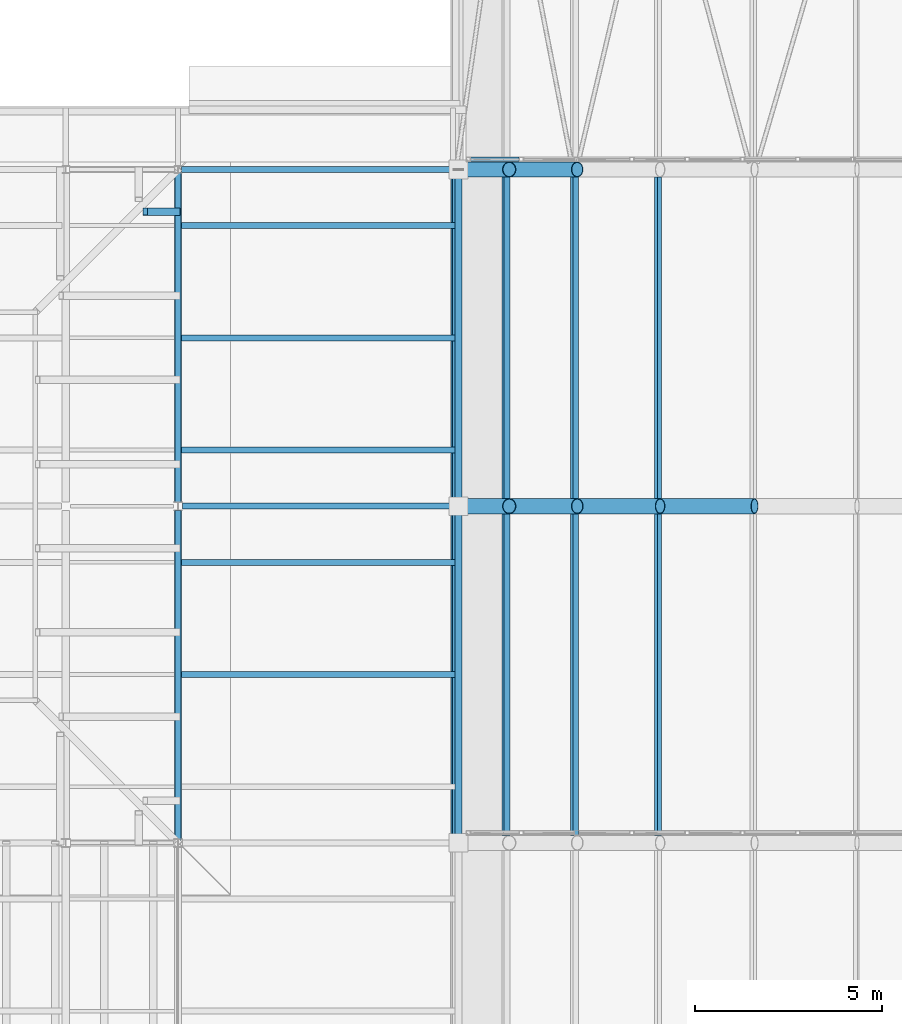
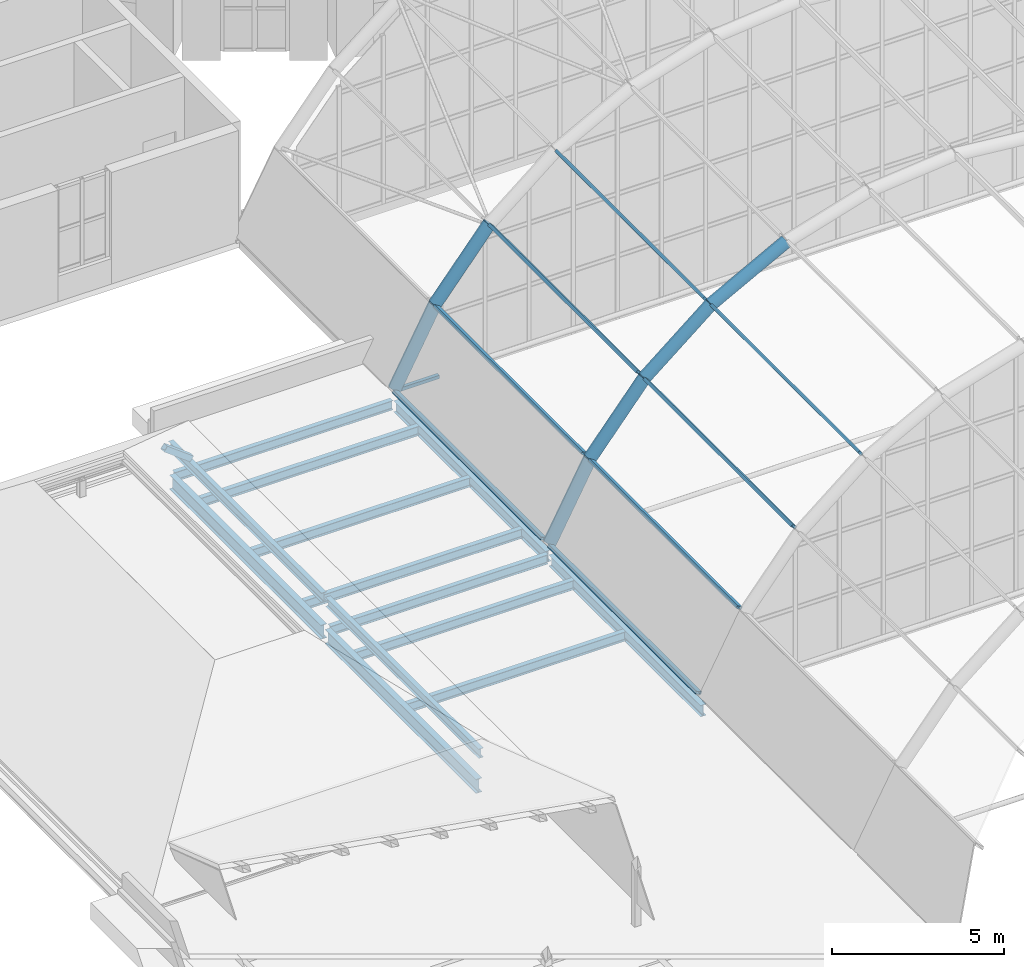
# One storey, part 38 of 121: 16 members, 13 beams, 1 element without a shape of its own.
"""IFC4 building model written with IfcOpenShell, lengths in metres."""

from ifc_helpers import new_model, si_unit, direction, frame, origin, origin_2d, place, context, subcontext, project, spatial, hollow_rectangle, hollow_circle, i_section, extrude, material, material_profile, profile_set, type_object, element, aggregate, save


model = new_model("IFC4")

# Units and contexts
model_context = context("Model", 3, precision=1e-05, world=origin(), true_north=direction((0.0, 1.0)))
body_context = subcontext(model_context, "Body", "Model", "MODEL_VIEW")
ifc_project = project(units=[si_unit("LENGTHUNIT", "METRE"), si_unit("AREAUNIT", "SQUARE_METRE"), si_unit("VOLUMEUNIT", "CUBIC_METRE"), si_unit("PLANEANGLEUNIT", "RADIAN"), si_unit("MASSUNIT", "GRAM", prefix="KILO")], contexts=[model_context])

# Site, building, storey
site_placement = place(None, origin())
site = spatial("IfcSite", under=ifc_project, at=site_placement, CompositionType="ELEMENT")
building_placement = place(site_placement, origin())
building = spatial("IfcBuilding", under=site, at=building_placement, Name="Golden Quay Civic Hall", CompositionType="ELEMENT")
storey_placement = place(building_placement, frame((0.0, 0.0, 18.60009765625)))
storey = spatial("IfcBuildingStorey", under=building, at=storey_placement, Name="L04", CompositionType="ELEMENT", Elevation=18.60009765625)

# Curtain wall, member
ifc_material_1 = material(Name="Fire-resisting glass and steel", Category="steel")
curtain_wall_type = type_object("IfcCurtainWallType", Name="Fire-resisting glazed curtain wall EI 120", PredefinedType="NOTDEFINED", material=ifc_material_1)
curtain_wall_placement = place(storey_placement, origin())
curtain_wall = element("IfcCurtainWall", 1, at=curtain_wall_placement, inside=storey, type_object=curtain_wall_type, Name="Curtain wall tympanum fire3", PredefinedType="NOTDEFINED")
ifc_material_2 = material(Name="Steel S355", Category="steel")
ifc_material_profile_1 = material_profile(ifc_material_2, hollow_rectangle(XDim=0.1201171875, YDim=0.1201171875, WallThickness=0.008056640625, at=origin_2d()), Name="SHS 120x120x8")
ifc_profile_set_1 = profile_set([ifc_material_profile_1], Name="Steel S355")
member_type_1 = type_object("IfcMemberType", Name="Fire-resisting steel transom SHS 120x120x8", PredefinedType="USERDEFINED", material=ifc_profile_set_1)
member_1_placement = place(storey_placement, frame((72.320068359375, 54.27001953125, -0.190185546875), z_axis=(1.0, 0.0, 0.0), x_axis=(0.0, 1.0, 0.0)))
member_1 = element("IfcMember", 2, at=member_1_placement, type_object=member_type_1, Name="Tympanum transom 1.1", ObjectType="TRANSOM", PredefinedType="USERDEFINED", context=body_context, shape_type="SweptSolid", body=[
    extrude(hollow_rectangle(XDim=0.1201171875, YDim=0.1201171875, WallThickness=0.008056640625, at=origin_2d()), origin(), (0.0, 0.0, 1.0), 1.297607421875),
])
aggregate(curtain_wall, [member_1])

# Members
ifc_material_3 = material(Name="Steel S355", Category="steel")
ifc_material_profile_2 = material_profile(ifc_material_3, hollow_circle(Radius=0.203125, WallThickness=0.01611328125, at=origin_2d()), Name="CHS 406.4x16")
ifc_profile_set_2 = profile_set([ifc_material_profile_2], Name="Steel S355")
member_type_2 = type_object("IfcMemberType", Name="Steel arch rib CHS 406.4x16", PredefinedType="USERDEFINED", material=ifc_profile_set_2)
for number, where, z_axis, x_axis, name in (
    (3, (72.0, 45.0, 0.099853515625), (0.473092307375, 0.0, 0.881012865231), (0.0, 1.0, 0.0), "Arch rib 6 segment 1"),
    (4, (73.35400390625, 45.0, 2.621337890625), (0.635608575128, 0.0, 0.772011489049), (0.0, 1.0, 0.0), "Arch rib 6 segment 2"),
):
    element("IfcMember", number, at=place(storey_placement, frame(where, z_axis=z_axis, x_axis=x_axis)), inside=storey, type_object=member_type_2, Name=name, ObjectType="ARCH RIB", PredefinedType="USERDEFINED", context=body_context, shape_type="SweptSolid", body=[
        extrude(hollow_circle(Radius=0.203125, WallThickness=0.01611328125, at=origin_2d()), origin(), (0.0, 0.0, 1.0), 2.862060546875),
    ])
for number, where, z_axis, x_axis, name in (
    (5, (75.173095703125, 45.0, 4.830810546875), (0.773786223221, 0.0, 0.633446825514), (0.0, 1.0, 0.0), "Arch rib 6 segment 3"),
    (6, (77.387451171875, 45.0, 6.6435546875), (0.882326964097, 0.0, 0.470636939082), (0.0, 1.0, 0.0), "Arch rib 6 segment 4"),
):
    element("IfcMember", number, at=place(storey_placement, frame(where, z_axis=z_axis, x_axis=x_axis)), inside=storey, type_object=member_type_2, Name=name, ObjectType="ARCH RIB", PredefinedType="USERDEFINED", context=body_context, shape_type="SweptSolid", body=[
        extrude(hollow_circle(Radius=0.203125, WallThickness=0.01611328125, at=origin_2d()), origin(), (0.0, 0.0, 1.0), 2.86181640625),
    ])
for number, where, z_axis, x_axis, name in (
    (7, (72.0, 54.0, 0.099853515625), (0.473092307375, 0.0, 0.881012865231), (0.0, 1.0, 0.0), "Arch rib 7 segment 1"),
    (8, (73.35400390625, 54.0, 2.621337890625), (0.635608575128, 0.0, 0.772011489049), (0.0, 1.0, 0.0), "Arch rib 7 segment 2"),
):
    element("IfcMember", number, at=place(storey_placement, frame(where, z_axis=z_axis, x_axis=x_axis)), inside=storey, type_object=member_type_2, Name=name, ObjectType="ARCH RIB", PredefinedType="USERDEFINED", context=body_context, shape_type="SweptSolid", body=[
        extrude(hollow_circle(Radius=0.203125, WallThickness=0.01611328125, at=origin_2d()), origin(), (0.0, 0.0, 1.0), 2.862060546875),
    ])

# Beams
ifc_material_4 = material(Name="Steel S355", Category="steel")
ifc_material_profile_3 = material_profile(ifc_material_4, i_section(OverallWidth=0.159912109375, OverallDepth=0.330078125, WebThickness=0.007568359375, FlangeThickness=0.011474609375, FilletRadius=0.01806640625, at=origin_2d()), Name="IPE 330")
ifc_profile_set_3 = profile_set([ifc_material_profile_3], Name="Steel S355")
beam_type_1 = type_object("IfcBeamType", Name="Steel beam IPE 330", PredefinedType="BEAM", material=ifc_profile_set_3)
beam_1_placement = place(storey_placement, frame((64.6201171875, 45.0, -0.4150390625), z_axis=(1.0, 0.0, 0.0), x_axis=(0.0, 1.0, 0.0)))
element("IfcBeam", 9, at=beam_1_placement, inside=storey, type_object=beam_type_1, Name="Beam S45-64.5", PredefinedType="BEAM", context=body_context, shape_type="SweptSolid", body=[
    extrude(i_section(OverallWidth=0.159912109375, OverallDepth=0.330078125, WebThickness=0.007568359375, FlangeThickness=0.011474609375, FilletRadius=0.01806640625, at=origin_2d()), origin(), (0.0, 0.0, 1.0), 7.27978515625),
])
beam_2_placement = place(storey_placement, frame((64.60009765625, 54.0, -0.4150390625), z_axis=(1.0, 0.0, 0.0), x_axis=(0.0, 1.0, 0.0)))
element("IfcBeam", 10, at=beam_2_placement, inside=storey, type_object=beam_type_1, Name="Beam S54-64.5", PredefinedType="BEAM", context=body_context, shape_type="SweptSolid", body=[
    extrude(i_section(OverallWidth=0.159912109375, OverallDepth=0.330078125, WebThickness=0.007568359375, FlangeThickness=0.011474609375, FilletRadius=0.01806640625, at=origin_2d()), origin(), (0.0, 0.0, 1.0), 7.2998046875),
])
ifc_material_5 = material(Name="Steel S355", Category="steel")
ifc_material_profile_4 = material_profile(ifc_material_5, i_section(OverallWidth=0.179931640625, OverallDepth=0.39990234375, WebThickness=0.008544921875, FlangeThickness=0.013427734375, FilletRadius=0.02099609375, at=origin_2d()), Name="IPE 400")
ifc_profile_set_4 = profile_set([ifc_material_profile_4], Name="Steel S355")
beam_type_2 = type_object("IfcBeamType", Name="Steel beam IPE 400", PredefinedType="BEAM", material=ifc_profile_set_4)
for number, where, z_axis, x_axis, name in (
    (11, (72.0, 36.094970703125, -0.4501953125), (0.0, 1.0, 0.0), (-1.0, 0.0, 0.0), "Beam L72-36"),
    (12, (72.0, 45.094970703125, -0.4501953125), (0.0, 1.0, 0.0), (-1.0, 0.0, 0.0), "Beam L72-45"),
):
    element("IfcBeam", number, at=place(storey_placement, frame(where, z_axis=z_axis, x_axis=x_axis)), inside=storey, type_object=beam_type_2, Name=name, PredefinedType="BEAM", context=body_context, shape_type="SweptSolid", body=[
        extrude(i_section(OverallWidth=0.179931640625, OverallDepth=0.39990234375, WebThickness=0.008544921875, FlangeThickness=0.013427734375, FilletRadius=0.02099609375, at=origin_2d()), origin(), (0.0, 0.0, 1.0), 8.81005859375),
    ])
ifc_material_6 = material(Name="Steel S355", Category="steel")
ifc_material_profile_5 = material_profile(ifc_material_6, i_section(OverallWidth=0.199951171875, OverallDepth=0.5, WebThickness=0.01025390625, FlangeThickness=0.01611328125, FilletRadius=0.02099609375, at=origin_2d()), Name="IPE 500")
ifc_profile_set_5 = profile_set([ifc_material_profile_5], Name="Steel S355")
beam_type_3 = type_object("IfcBeamType", Name="Steel beam IPE 500", PredefinedType="BEAM", material=ifc_profile_set_5)
beam_3_placement = place(storey_placement, frame((64.5, 36.114990234375, -0.5), z_axis=(0.0, 1.0, 0.0), x_axis=(-1.0, 0.0, 0.0)))
element("IfcBeam", 13, at=beam_3_placement, inside=storey, type_object=beam_type_3, Name="Beam L64.5-36", PredefinedType="BEAM", context=body_context, shape_type="SweptSolid", body=[
    extrude(i_section(OverallWidth=0.199951171875, OverallDepth=0.5, WebThickness=0.01025390625, FlangeThickness=0.01611328125, FilletRadius=0.02099609375, at=origin_2d()), origin(), (0.0, 0.0, 1.0), 8.77001953125),
])
beam_4_placement = place(storey_placement, frame((64.5, 45.114990234375, -0.5), z_axis=(0.0, 1.0, 0.0), x_axis=(-1.0, 0.0, 0.0)))
element("IfcBeam", 14, at=beam_4_placement, inside=storey, type_object=beam_type_3, Name="Beam L64.5-45", PredefinedType="BEAM", context=body_context, shape_type="SweptSolid", body=[
    extrude(i_section(OverallWidth=0.199951171875, OverallDepth=0.5, WebThickness=0.01025390625, FlangeThickness=0.01611328125, FilletRadius=0.02099609375, at=origin_2d()), origin(), (0.0, 0.0, 1.0), 8.7900390625),
])

# Member
ifc_material_7 = material(Name="Steel S355", Category="steel")
ifc_material_profile_6 = material_profile(ifc_material_7, hollow_rectangle(XDim=0.199951171875, YDim=0.199951171875, WallThickness=0.010009765625, at=origin_2d()), Name="SHS 200x200x10")
ifc_profile_set_6 = profile_set([ifc_material_profile_6], Name="Steel S355")
member_type_3 = type_object("IfcMemberType", Name="Steel jack rafter SHS 200x200x10", PredefinedType="RAFTER", material=ifc_profile_set_6)
member_2_placement = place(storey_placement, frame((64.5, 52.875, 0.96484375), z_axis=(-0.8, 0.0, 0.6), x_axis=(0.0, -1.0, 0.0)))
element("IfcMember", 15, at=member_2_placement, inside=storey, type_object=member_type_3, Name="Jack rafter WM-N east 8", PredefinedType="RAFTER", context=body_context, shape_type="SweptSolid", body=[
    extrude(hollow_rectangle(XDim=0.199951171875, YDim=0.199951171875, WallThickness=0.010009765625, at=origin_2d()), origin(), (0.0, 0.0, 1.0), 1.09375),
])

# Beams
ifc_material_8 = material(Name="Steel S355", Category="steel")
ifc_material_profile_7 = material_profile(ifc_material_8, i_section(OverallWidth=0.159912109375, OverallDepth=0.330078125, WebThickness=0.007568359375, FlangeThickness=0.011474609375, FilletRadius=0.01806640625, at=origin_2d()), Name="IPE 330")
ifc_profile_set_7 = profile_set([ifc_material_profile_7], Name="Steel S355")
beam_type_4 = type_object("IfcBeamType", Name="Steel joist IPE 330", PredefinedType="JOIST", material=ifc_profile_set_7)
for number, where, z_axis, x_axis, name in (
    (16, (64.60009765625, 40.5, -0.4150390625), (1.0, 0.0, 0.0), (0.0, 1.0, 0.0), "Joist J40.5-64.5"),
    (17, (64.60009765625, 43.5, -0.4150390625), (1.0, 0.0, 0.0), (0.0, 1.0, 0.0), "Joist J43.5-64.5"),
    (18, (64.60009765625, 46.5, -0.4150390625), (1.0, 0.0, 0.0), (0.0, 1.0, 0.0), "Joist J46.5-64.5"),
    (19, (64.60009765625, 49.5, -0.4150390625), (1.0, 0.0, 0.0), (0.0, 1.0, 0.0), "Joist J49.5-64.5"),
    (20, (64.60009765625, 52.5, -0.4150390625), (1.0, 0.0, 0.0), (0.0, 1.0, 0.0), "Joist J52.5-64.5"),
):
    element("IfcBeam", number, at=place(storey_placement, frame(where, z_axis=z_axis, x_axis=x_axis)), inside=storey, type_object=beam_type_4, Name=name, PredefinedType="JOIST", context=body_context, shape_type="SweptSolid", body=[
        extrude(i_section(OverallWidth=0.159912109375, OverallDepth=0.330078125, WebThickness=0.007568359375, FlangeThickness=0.011474609375, FilletRadius=0.01806640625, at=origin_2d()), origin(), (0.0, 0.0, 1.0), 7.309814453125),
    ])

# Members
ifc_material_9 = material(Name="Steel S355", Category="steel")
ifc_material_profile_8 = material_profile(ifc_material_9, hollow_rectangle(XDim=0.10009765625, YDim=0.199951171875, WallThickness=0.008056640625, at=origin_2d()), Name="RHS 200x100x8")
ifc_profile_set_8 = profile_set([ifc_material_profile_8], Name="Steel S355")
member_type_4 = type_object("IfcMemberType", Name="Steel purlin RHS 200x100x8", PredefinedType="PURLIN", material=ifc_profile_set_8)
for number, where, z_axis, x_axis, name in (
    (21, (71.90478515625, 36.203125, 0.1396484375), (0.0, 1.0, 0.0), (-0.384615384615, 0.0, -0.923076923077), "Purlin 5.1"),
    (22, (73.268310546875, 36.203125, 2.6787109375), (0.0, 1.0, 0.0), (-0.557018943033, 0.0, -0.830499787539), "Purlin 5.2"),
    (23, (75.10009765625, 36.203125, 4.90380859375), (0.0, 1.0, 0.0), (-0.708092289314, 0.0, -0.70611989762), "Purlin 5.3"),
    (24, (77.330322265625, 36.203125, 6.7294921875), (0.0, 1.0, 0.0), (-0.832050294338, 0.0, -0.554700196226), "Purlin 5.4"),
    (25, (71.90478515625, 45.203125, 0.1396484375), (0.0, 1.0, 0.0), (-0.384615384615, 0.0, -0.923076923077), "Purlin 6.1"),
    (26, (73.268310546875, 45.203125, 2.6787109375), (0.0, 1.0, 0.0), (-0.557018943033, 0.0, -0.830499787539), "Purlin 6.2"),
    (27, (75.10009765625, 45.203125, 4.90380859375), (0.0, 1.0, 0.0), (-0.708092289314, 0.0, -0.70611989762), "Purlin 6.3"),
    (28, (77.330322265625, 45.203125, 6.7294921875), (0.0, 1.0, 0.0), (-0.832050294338, 0.0, -0.554700196226), "Purlin 6.4"),
):
    element("IfcMember", number, at=place(storey_placement, frame(where, z_axis=z_axis, x_axis=x_axis)), inside=storey, type_object=member_type_4, Name=name, PredefinedType="PURLIN", context=body_context, shape_type="SweptSolid", body=[
        extrude(hollow_rectangle(XDim=0.10009765625, YDim=0.199951171875, WallThickness=0.008056640625, at=origin_2d()), origin(), (0.0, 0.0, 1.0), 8.59375),
    ])

# Beams
ifc_material_10 = material(Name="Steel S355", Category="steel")
ifc_material_profile_9 = material_profile(ifc_material_10, i_section(OverallWidth=0.159912109375, OverallDepth=0.330078125, WebThickness=0.007568359375, FlangeThickness=0.011474609375, FilletRadius=0.01806640625, at=origin_2d()), Name="IPE 330")
ifc_profile_set_9 = profile_set([ifc_material_profile_9], Name="Steel S355")
beam_type_5 = type_object("IfcBeamType", Name="Steel wall plate beam IPE 330", PredefinedType="BEAM", material=ifc_profile_set_9)
for number, where, z_axis, x_axis, name in (
    (29, (64.5, 36.0, 0.719970703125), (0.0, 1.0, 0.0), (-1.0, 0.0, 0.0), "Wall plate beam WM-N E1"),
    (30, (64.5, 45.114990234375, 0.719970703125), (0.0, 1.0, 0.0), (-1.0, 0.0, 0.0), "Wall plate beam WM-N E2"),
):
    element("IfcBeam", number, at=place(storey_placement, frame(where, z_axis=z_axis, x_axis=x_axis)), inside=storey, type_object=beam_type_5, Name=name, PredefinedType="BEAM", context=body_context, shape_type="SweptSolid", body=[
        extrude(i_section(OverallWidth=0.159912109375, OverallDepth=0.330078125, WebThickness=0.007568359375, FlangeThickness=0.011474609375, FilletRadius=0.01806640625, at=origin_2d()), origin(), (0.0, 0.0, 1.0), 8.885009765625),
    ])

save(model, "model.ifc")
